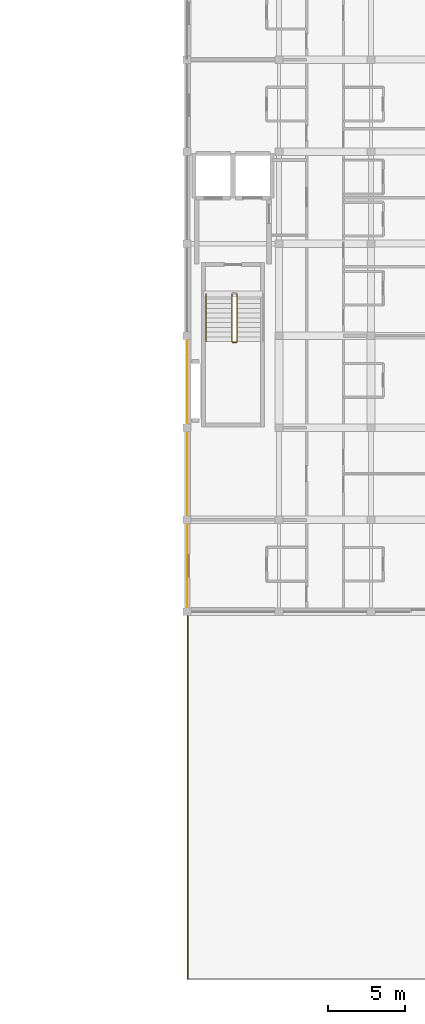
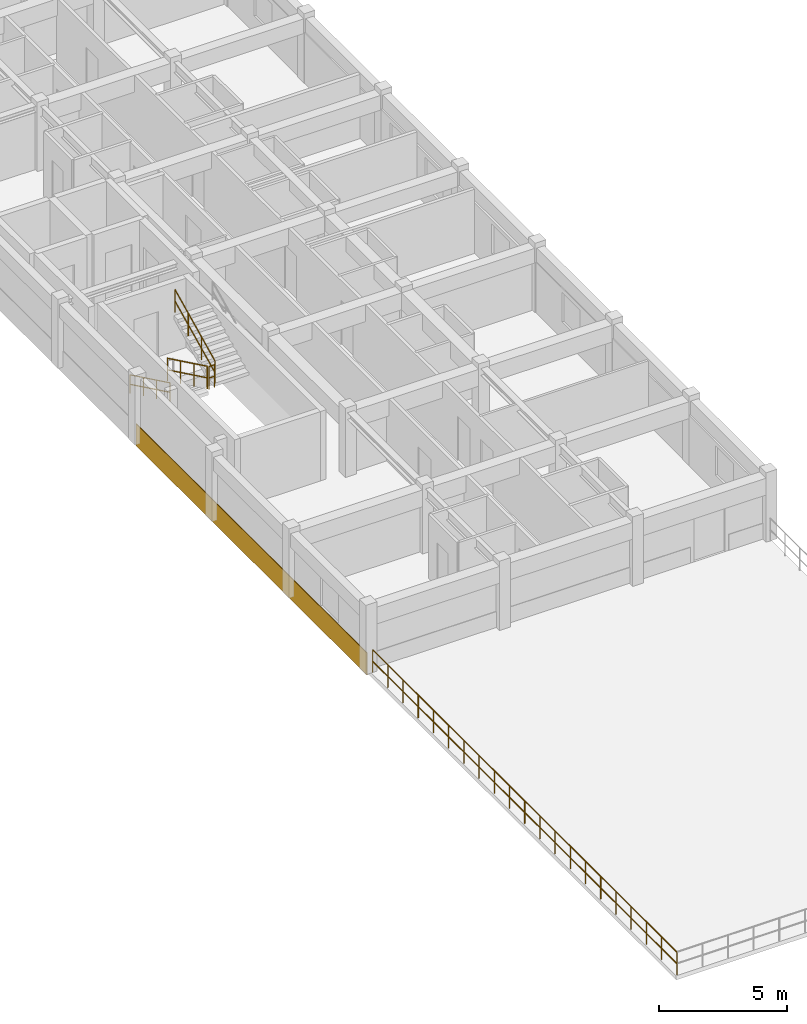
# One storey, part 11 of 14: 5 railings, 1 covering.
"""IFC4 building model written with IfcOpenShell, lengths in metres."""

from ifc_helpers import new_model, si_unit, direction, frame, origin, origin_2d, place, context, subcontext, project, spatial, polyline, circle, outline, extrude, material, layer, layer_set, type_object, element, save


model = new_model("IFC4")

# Units and contexts
model_context = context("Model", 3, precision=1e-05, world=origin(), true_north=direction((0.0, 1.0)))
body_context = subcontext(model_context, "Body", "Model", "MODEL_VIEW")
ifc_project = project(units=[si_unit("LENGTHUNIT", "METRE"), si_unit("AREAUNIT", "SQUARE_METRE"), si_unit("VOLUMEUNIT", "CUBIC_METRE"), si_unit("PLANEANGLEUNIT", "RADIAN"), si_unit("MASSUNIT", "GRAM", prefix="KILO"), si_unit("THERMODYNAMICTEMPERATUREUNIT", "KELVIN"), si_unit("POWERUNIT", "WATT")], contexts=[model_context])

# Site, building, storey
site_placement = place(None, origin())
site = spatial("IfcSite", under=ifc_project, at=site_placement, CompositionType="ELEMENT")
building_placement = place(site_placement, origin())
building = spatial("IfcBuilding", under=site, at=building_placement, Name="Phaisarnlok Congress Hotel", CompositionType="ELEMENT")
storey_placement = place(building_placement, frame((0.0, 0.0, 44.699951171875)))
storey = spatial("IfcBuildingStorey", under=building, at=storey_placement, Name="L11", CompositionType="ELEMENT", Elevation=44.699951171875)

# Covering
ifc_material_1 = material(Name="Anodised Silver Aluminium Alloy 6063-T6", Category="aluminium")
ifc_layer = layer(ifc_material_1, 0.031982421875, Name="Anodised Silver Aluminium Alloy 6063-T6")
ifc_layer_set = layer_set([ifc_layer], Name="Anodised Silver Aluminium Alloy 6063-T6")
covering_type = type_object("IfcCoveringType", Name="COV-SPAND-ALU", PredefinedType="CLADDING", material=ifc_layer_set)
covering_placement = place(storey_placement, frame((162.0048828125, 84.06005859375, -0.280029296875), z_axis=(-1.0, 0.0, 0.0), x_axis=(0.0, -1.0, 0.0)))
element("IfcCovering", 1, at=covering_placement, inside=storey, type_object=covering_type, Name="Swiss minimalist anodised silver rainscreen band CL-02 (L11 W)", PredefinedType="CLADDING", context=body_context, shape_type="SweptSolid", body=[
    extrude(outline(polyline([(0.0, 0.0), (18.0, 0.0), (18.0, 1.050048828125), (0.0, 1.050048828125), (0.0, 0.0)])), origin(), (0.0, 0.0, 1.0), 0.031982421875),
])

# Railings
ifc_material_2 = material(Name="Painted Galvanised Steel S275", Category="steel")
railing_type_1 = type_object("IfcRailingType", Name="RLG-STR-GUARD", PredefinedType="BALUSTRADE", material=ifc_material_2)
railing_1_placement = place(storey_placement, frame((164.929931640625, 86.719970703125, 0.150146484375)))
element("IfcRailing", 2, at=railing_1_placement, inside=storey, type_object=railing_type_1, Name="L11 ST-09 stair guard 1", PredefinedType="BALUSTRADE", context=body_context, shape_type="SweptSolid", body=[
    extrude(circle(Radius=0.02392578125, at=origin_2d()), frame((0.0, 0.0, 1.076171875), z_axis=(0.0, -0.900151181449, 0.435577605641), x_axis=(1.0, 0.0, 0.0)), (0.0, 0.0, 1.0), 3.443603515625),
    extrude(circle(Radius=0.02392578125, at=origin_2d()), frame((0.0, 0.0, 0.52587890625), z_axis=(0.0, -0.900151181449, 0.435577605641), x_axis=(1.0, 0.0, 0.0)), (0.0, 0.0, 1.0), 3.443603515625),
    extrude(circle(Radius=0.02099609375, at=origin_2d()), origin(), (0.0, 0.0, 1.0), 1.052001953125),
    extrude(circle(Radius=0.02099609375, at=origin_2d()), frame((0.0, -1.033203125, 0.5)), (0.0, 0.0, 1.0), 1.052001953125),
    extrude(circle(Radius=0.02099609375, at=origin_2d()), frame((0.0, -2.066650390625, 1.0)), (0.0, 0.0, 1.0), 1.052001953125),
    extrude(circle(Radius=0.02099609375, at=origin_2d()), frame((0.0, -3.099853515625, 1.5)), (0.0, 0.0, 1.0), 1.052001953125),
])
railing_2_placement = place(storey_placement, frame((164.97998046875, 83.570068359375, 1.650146484375)))
element("IfcRailing", 3, at=railing_2_placement, inside=storey, type_object=railing_type_1, Name="L11 ST-09 stair guard 2", PredefinedType="BALUSTRADE", context=body_context, shape_type="SweptSolid", body=[
    extrude(circle(Radius=0.02392578125, at=origin_2d()), frame((0.0, 0.0, 1.076171875), z_axis=(1.0, 0.0, 0.0), x_axis=(0.0, 1.0, 0.0)), (0.0, 0.0, 1.0), 0.239990234375),
    extrude(circle(Radius=0.02392578125, at=origin_2d()), frame((0.0, 0.0, 0.52587890625), z_axis=(1.0, 0.0, 0.0), x_axis=(0.0, 1.0, 0.0)), (0.0, 0.0, 1.0), 0.239990234375),
    extrude(circle(Radius=0.02099609375, at=origin_2d()), origin(), (0.0, 0.0, 1.0), 1.052001953125),
    extrude(circle(Radius=0.02099609375, at=origin_2d()), frame((0.239990234375, 0.0, 0.0)), (0.0, 0.0, 1.0), 1.052001953125),
])
railing_3_placement = place(storey_placement, frame((165.27001953125, 83.6201171875, 1.800048828125)))
element("IfcRailing", 4, at=railing_3_placement, inside=storey, type_object=railing_type_1, Name="L11 ST-09 stair guard 3", PredefinedType="BALUSTRADE", context=body_context, shape_type="SweptSolid", body=[
    extrude(circle(Radius=0.02392578125, at=origin_2d()), frame((0.0, 0.0, 1.076171875), z_axis=(0.0, 0.900151181449, 0.435577605641), x_axis=(-1.0, 0.0, 0.0)), (0.0, 0.0, 1.0), 3.443603515625),
    extrude(circle(Radius=0.02392578125, at=origin_2d()), frame((0.0, 0.0, 0.52587890625), z_axis=(0.0, 0.900151181449, 0.435577605641), x_axis=(-1.0, 0.0, 0.0)), (0.0, 0.0, 1.0), 3.443603515625),
    extrude(circle(Radius=0.02099609375, at=origin_2d()), origin(), (0.0, 0.0, 1.0), 1.052001953125),
    extrude(circle(Radius=0.02099609375, at=origin_2d()), frame((0.0, 1.033203125, 0.5)), (0.0, 0.0, 1.0), 1.052001953125),
    extrude(circle(Radius=0.02099609375, at=origin_2d()), frame((0.0, 2.066650390625, 1.0)), (0.0, 0.0, 1.0), 1.052001953125),
    extrude(circle(Radius=0.02099609375, at=origin_2d()), frame((0.0, 3.099853515625, 1.5)), (0.0, 0.0, 1.0), 1.052001953125),
])
ifc_material_3 = material(Name="Brushed Stainless Steel Grade 304", Category="steel")
railing_type_2 = type_object("IfcRailingType", Name="RLG-STR-HRAIL", PredefinedType="HANDRAIL", material=ifc_material_3)
railing_4_placement = place(storey_placement, frame((163.25, 86.719970703125, 0.150146484375)))
element("IfcRailing", 5, at=railing_4_placement, inside=storey, type_object=railing_type_2, Name="L11 ST-09 stair handrail 1", PredefinedType="HANDRAIL", context=body_context, shape_type="SweptSolid", body=[
    extrude(circle(Radius=0.02392578125, at=origin_2d()), frame((0.0, 0.0, 0.8759765625), z_axis=(0.0, -0.900151181449, 0.435577605641), x_axis=(1.0, 0.0, 0.0)), (0.0, 0.0, 1.0), 3.443603515625),
    extrude(circle(Radius=0.02392578125, at=origin_2d()), frame((0.0, 0.0, 0.42578125), z_axis=(0.0, -0.900151181449, 0.435577605641), x_axis=(1.0, 0.0, 0.0)), (0.0, 0.0, 1.0), 3.443603515625),
    extrude(circle(Radius=0.02099609375, at=origin_2d()), origin(), (0.0, 0.0, 1.0), 0.851806640625),
    extrude(circle(Radius=0.02099609375, at=origin_2d()), frame((0.0, -1.033203125, 0.5)), (0.0, 0.0, 1.0), 0.851806640625),
    extrude(circle(Radius=0.02099609375, at=origin_2d()), frame((0.0, -2.066650390625, 1.0)), (0.0, 0.0, 1.0), 0.851806640625),
    extrude(circle(Radius=0.02099609375, at=origin_2d()), frame((0.0, -3.099853515625, 1.5)), (0.0, 0.0, 1.0), 0.851806640625),
])
ifc_material_4 = material(Name="Laminated Glass & Stainless Steel Grade 316", Category="steel")
railing_type_3 = type_object("IfcRailingType", Name="RLG-TER-1100", PredefinedType="BALUSTRADE", material=ifc_material_4)
railing_5_placement = place(storey_placement, frame((162.06005859375, 42.06005859375, 0.0)))
element("IfcRailing", 6, at=railing_5_placement, inside=storey, type_object=railing_type_3, Name="Terrace balustrade guard GD-01 (L11 sky_terrace_s11)", PredefinedType="BALUSTRADE", context=body_context, shape_type="SweptSolid", body=[
    extrude(circle(Radius=0.02392578125, at=origin_2d()), frame((0.0, 0.0, 1.076171875), z_axis=(0.0, 1.0, 0.0), x_axis=(-1.0, 0.0, 0.0)), (0.0, 0.0, 1.0), 23.699951171875),
    extrude(circle(Radius=0.02392578125, at=origin_2d()), frame((0.0, 0.0, 0.52587890625), z_axis=(0.0, 1.0, 0.0), x_axis=(-1.0, 0.0, 0.0)), (0.0, 0.0, 1.0), 23.699951171875),
    extrude(circle(Radius=0.02099609375, at=origin_2d()), origin(), (0.0, 0.0, 1.0), 1.052001953125),
    extrude(circle(Radius=0.02099609375, at=origin_2d()), frame((0.0, 1.18505859375, 0.0)), (0.0, 0.0, 1.0), 1.052001953125),
    extrude(circle(Radius=0.02099609375, at=origin_2d()), frame((0.0, 2.3701171875, 0.0)), (0.0, 0.0, 1.0), 1.052001953125),
    extrude(circle(Radius=0.02099609375, at=origin_2d()), frame((0.0, 3.554931640625, 0.0)), (0.0, 0.0, 1.0), 1.052001953125),
    extrude(circle(Radius=0.02099609375, at=origin_2d()), frame((0.0, 4.739990234375, 0.0)), (0.0, 0.0, 1.0), 1.052001953125),
    extrude(circle(Radius=0.02099609375, at=origin_2d()), frame((0.0, 5.925048828125, 0.0)), (0.0, 0.0, 1.0), 1.052001953125),
    extrude(circle(Radius=0.02099609375, at=origin_2d()), frame((0.0, 7.10986328125, 0.0)), (0.0, 0.0, 1.0), 1.052001953125),
    extrude(circle(Radius=0.02099609375, at=origin_2d()), frame((0.0, 8.294921875, 0.0)), (0.0, 0.0, 1.0), 1.052001953125),
    extrude(circle(Radius=0.02099609375, at=origin_2d()), frame((0.0, 9.47998046875, 0.0)), (0.0, 0.0, 1.0), 1.052001953125),
    extrude(circle(Radius=0.02099609375, at=origin_2d()), frame((0.0, 10.6650390625, 0.0)), (0.0, 0.0, 1.0), 1.052001953125),
    extrude(circle(Radius=0.02099609375, at=origin_2d()), frame((0.0, 11.85009765625, 0.0)), (0.0, 0.0, 1.0), 1.052001953125),
    extrude(circle(Radius=0.02099609375, at=origin_2d()), frame((0.0, 13.034912109375, 0.0)), (0.0, 0.0, 1.0), 1.052001953125),
    extrude(circle(Radius=0.02099609375, at=origin_2d()), frame((0.0, 14.219970703125, 0.0)), (0.0, 0.0, 1.0), 1.052001953125),
    extrude(circle(Radius=0.02099609375, at=origin_2d()), frame((0.0, 15.405029296875, 0.0)), (0.0, 0.0, 1.0), 1.052001953125),
    extrude(circle(Radius=0.02099609375, at=origin_2d()), frame((0.0, 16.58984375, 0.0)), (0.0, 0.0, 1.0), 1.052001953125),
    extrude(circle(Radius=0.02099609375, at=origin_2d()), frame((0.0, 17.77490234375, 0.0)), (0.0, 0.0, 1.0), 1.052001953125),
    extrude(circle(Radius=0.02099609375, at=origin_2d()), frame((0.0, 18.9599609375, 0.0)), (0.0, 0.0, 1.0), 1.052001953125),
    extrude(circle(Radius=0.02099609375, at=origin_2d()), frame((0.0, 20.14501953125, 0.0)), (0.0, 0.0, 1.0), 1.052001953125),
    extrude(circle(Radius=0.02099609375, at=origin_2d()), frame((0.0, 21.330078125, 0.0)), (0.0, 0.0, 1.0), 1.052001953125),
    extrude(circle(Radius=0.02099609375, at=origin_2d()), frame((0.0, 22.514892578125, 0.0)), (0.0, 0.0, 1.0), 1.052001953125),
    extrude(circle(Radius=0.02099609375, at=origin_2d()), frame((0.0, 23.699951171875, 0.0)), (0.0, 0.0, 1.0), 1.052001953125),
])

save(model, "model.ifc")
